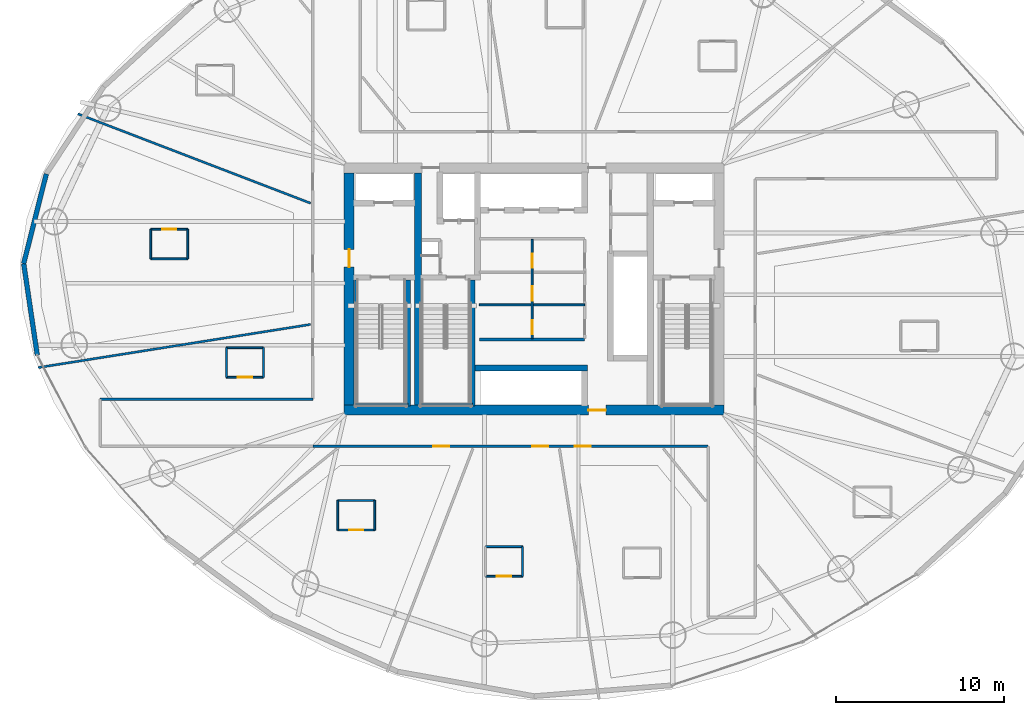
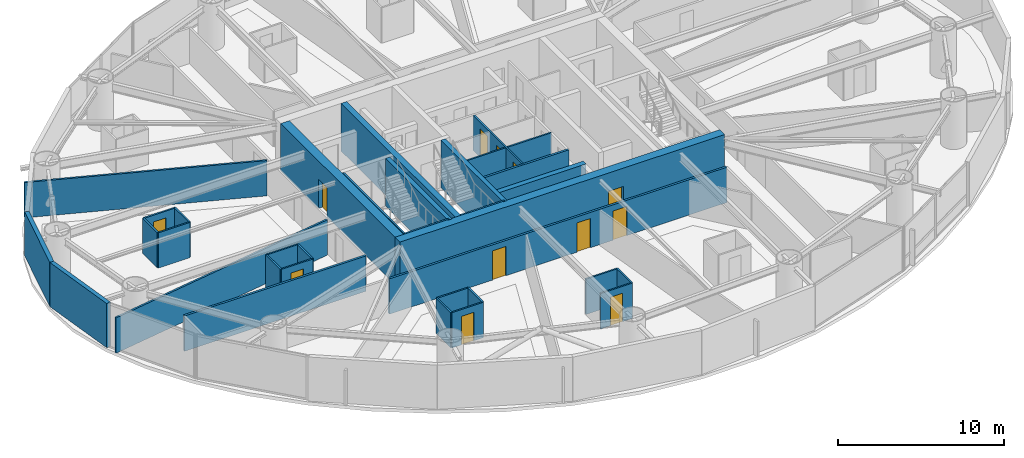
# One storey, part 18 of 25: 33 walls, 12 doors, 12 openings.
"""IFC4 building model written with IfcOpenShell, lengths in metres."""

from ifc_helpers import new_model, si_unit, direction, frame, frame_2d, origin, place, context, subcontext, project, spatial, rectangle, extrude, material, layer, layer_set, type_object, element, fill, save


model = new_model("IFC4")

# Units and contexts
model_context = context("Model", 3, precision=1e-05, world=origin(), true_north=direction((0.0, 1.0)))
body_context = subcontext(model_context, "Body", "Model", "MODEL_VIEW")
ifc_project = project(units=[si_unit("LENGTHUNIT", "METRE"), si_unit("AREAUNIT", "SQUARE_METRE"), si_unit("VOLUMEUNIT", "CUBIC_METRE"), si_unit("PLANEANGLEUNIT", "RADIAN"), si_unit("MASSUNIT", "GRAM", prefix="KILO")], contexts=[model_context])

# Site, building, storey
site_placement = place(None, origin())
site = spatial("IfcSite", under=ifc_project, at=site_placement, CompositionType="ELEMENT")
building_placement = place(site_placement, origin())
building = spatial("IfcBuilding", under=site, at=building_placement, Name="Bramvorn Convention Spire", CompositionType="ELEMENT")
storey_placement = place(building_placement, frame((0.0, 0.0, 48.39990234375)))
storey = spatial("IfcBuildingStorey", under=building, at=storey_placement, Name="L09", CompositionType="ELEMENT", Elevation=48.39990234375)

# Wall, opening, door
ifc_material_1 = material(Name="Concrete C60/70", Category="concrete")
ifc_layer_1 = layer(ifc_material_1, 0.60009765625)
ifc_layer_set_1 = layer_set([ifc_layer_1], Name="Concrete C60/70 - WL-CORE-600")
wall_type_1 = type_object("IfcWallType", Name="WL-CORE-600", PredefinedType="SHEAR", material=ifc_layer_set_1)
wall_1_placement = place(storey_placement, frame((26.699951171875, 18.800048828125, 0.0), z_axis=(0.0, 0.0, 1.0), x_axis=(1.0, 0.0, 0.0)))
wall_1 = element("IfcWall", 1, at=wall_1_placement, inside=storey, type_object=wall_type_1, Name="L09 South RC core shear wall", PredefinedType="SHEAR", context=body_context, shape_type="SweptSolid", body=[
    extrude(rectangle(XDim=22.60009765625, YDim=0.60009765625, at=frame_2d((11.300048828125, 0.0))), origin(), (0.0, 0.0, 1.0), 3.5),
])
opening_1_placement = place(wall_1_placement, frame((14.52001953125, 0.0, 0.0)))
opening_1 = element("IfcOpeningElement", 2, at=opening_1_placement, cuts=wall_1, Name="Opening DL-105", PredefinedType="OPENING", context=body_context, shape_type="SweptSolid", body=[
    extrude(rectangle(XDim=1.050048828125, YDim=2.14990234375, at=frame_2d((0.52490234375, 1.074951171875))), frame((0.0, 0.31005859375, 0.0), z_axis=(0.0, -1.0, 0.0), x_axis=(1.0, 0.0, 0.0)), (0.0, 0.0, 1.0), 0.6201171875),
])
ifc_material_2 = material(Name="Smoke-Sealed Fire Lobby Timber-Core Door", Category="wood")
door_type_1 = type_object("IfcDoorType", Name="DR-LOBBY-1050", OperationType="NOTDEFINED", PredefinedType="DOOR", material=ifc_material_2)
door_1_placement = place(opening_1_placement, origin())
door_1 = element("IfcDoor", 3, at=door_1_placement, inside=storey, type_object=door_type_1, Name="L09 South Lift Lobby fire door", OperationType="SINGLE_SWING_RIGHT", OverallHeight=2.14990234375, OverallWidth=1.050048828125, PredefinedType="DOOR", context=body_context, shape_type="SweptSolid", body=[
    extrude(rectangle(XDim=1.050048828125, YDim=2.14990234375, at=frame_2d((0.52490234375, 1.074951171875))), frame((0.0, 0.02490234375, 0.0), z_axis=(0.0, -1.0, 0.0), x_axis=(1.0, 0.0, 0.0)), (0.0, 0.0, 1.0), 0.050048828125),
])
fill(opening_1, door_1)

wall_2_placement = place(storey_placement, frame((27.0, 19.10009765625, 0.0), z_axis=(0.0, 0.0, 1.0), x_axis=(0.0, 1.0, 0.0)))
wall_2 = element("IfcWall", 4, at=wall_2_placement, inside=storey, type_object=wall_type_1, Name="L09 West RC core shear wall", PredefinedType="SHEAR", context=body_context, shape_type="SweptSolid", body=[
    extrude(rectangle(XDim=13.7998046875, YDim=0.60009765625, at=frame_2d((6.89990234375, 0.0))), origin(), (0.0, 0.0, 1.0), 3.5),
])
opening_2_placement = place(wall_2_placement, frame((8.199951171875, 0.0, 0.0)))
opening_2 = element("IfcOpeningElement", 5, at=opening_2_placement, cuts=wall_2, Name="Opening DL-105", PredefinedType="OPENING", context=body_context, shape_type="SweptSolid", body=[
    extrude(rectangle(XDim=1.050048828125, YDim=2.14990234375, at=frame_2d((0.52490234375, 1.074951171875))), frame((0.0, 0.31005859375, 0.0), z_axis=(0.0, -1.0, 0.0), x_axis=(1.0, 0.0, 0.0)), (0.0, 0.0, 1.0), 0.6201171875),
])
door_2_placement = place(opening_2_placement, origin())
door_2 = element("IfcDoor", 6, at=door_2_placement, inside=storey, type_object=door_type_1, Name="L09 West Firefighting Lobby corridor door", OperationType="SINGLE_SWING_RIGHT", OverallHeight=2.14990234375, OverallWidth=1.050048828125, PredefinedType="DOOR", context=body_context, shape_type="SweptSolid", body=[
    extrude(rectangle(XDim=1.050048828125, YDim=2.14990234375, at=frame_2d((0.52490234375, 1.074951171875))), frame((0.0, 0.02490234375, 0.0), z_axis=(0.0, -1.0, 0.0), x_axis=(1.0, 0.0, 0.0)), (0.0, 0.0, 1.0), 0.050048828125),
])
fill(opening_2, door_2)

# Walls
ifc_material_3 = material(Name="Concrete C50/60", Category="concrete")
ifc_layer_2 = layer(ifc_material_3, 0.35009765625)
ifc_layer_set_2 = layer_set([ifc_layer_2], Name="Concrete C50/60 - WL-CORE-INT-350")
wall_type_2 = type_object("IfcWallType", Name="WL-CORE-INT-350", PredefinedType="SHEAR", material=ifc_layer_set_2)
wall_3_placement = place(storey_placement, frame((34.489990234375, 21.300048828125, 0.0), z_axis=(0.0, 0.0, 1.0), x_axis=(1.0, 0.0, 0.0)))
element("IfcWall", 7, at=wall_3_placement, inside=storey, type_object=wall_type_2, Name="L09 Mid-rise bank north landing wall", PredefinedType="SHEAR", context=body_context, shape_type="SweptSolid", body=[
    extrude(rectangle(XDim=6.679931640625, YDim=0.35009765625, at=frame_2d((3.33984375, 0.0))), origin(), (0.0, 0.0, 1.0), 2.60009765625),
])
ifc_layer_3 = layer(ifc_material_1, 0.39990234375)
ifc_layer_set_3 = layer_set([ifc_layer_3], Name="Concrete C60/70 - WL-CORE-INT-400")
wall_type_3 = type_object("IfcWallType", Name="WL-CORE-INT-400", PredefinedType="SHEAR", material=ifc_layer_set_3)
wall_4_placement = place(storey_placement, frame((31.10009765625, 19.10009765625, 0.0), z_axis=(0.0, 0.0, 1.0), x_axis=(0.0, 1.0, 0.0)))
element("IfcWall", 8, at=wall_4_placement, inside=storey, type_object=wall_type_3, Name="L09 West internal core shear web", PredefinedType="SHEAR", context=body_context, shape_type="SweptSolid", body=[
    extrude(rectangle(XDim=13.7998046875, YDim=0.39990234375, at=frame_2d((6.89990234375, 0.0))), origin(), (0.0, 0.0, 1.0), 3.5),
])
ifc_material_4 = material(Name="Precast Concrete C40/50 with Bronze Terracotta Rainscreen", Category="masonry")
ifc_layer_4 = layer(ifc_material_4, 0.300048828125)
ifc_layer_set_4 = layer_set([ifc_layer_4], Name="Precast Concrete C40/50 with Bronze Terracotta Rainscreen - WL-EXT-BRONZE-300")
wall_type_4 = type_object("IfcWallType", Name="WL-EXT-BRONZE-300", PredefinedType="SOLIDWALL", material=ifc_layer_set_4)
wall_5_placement = place(storey_placement, frame((7.65771484375, 27.510498046875, 0.0), z_axis=(0.0, 0.0, 1.0), x_axis=(0.244259426183, 0.969709921946, 0.0)))
element("IfcWall", 9, at=wall_5_placement, inside=storey, type_object=wall_type_4, Name="L09 expressed bronze Gothic lancet pier wall 12", PredefinedType="SOLIDWALL", context=body_context, shape_type="SweptSolid", body=[
    extrude(rectangle(XDim=5.497314453125, YDim=0.280029296875, at=frame_2d((2.74853515625, 0.0))), origin(), (0.0, 0.0, 1.0), 3.25),
])
wall_6_placement = place(storey_placement, frame((8.46435546875, 22.072509765625, 0.0), z_axis=(0.0, 0.0, 1.0), x_axis=(-0.146728919415, 0.989176740632, 0.0)))
element("IfcWall", 10, at=wall_6_placement, inside=storey, type_object=wall_type_4, Name="L09 expressed bronze Gothic lancet pier wall 13", PredefinedType="SOLIDWALL", context=body_context, shape_type="SweptSolid", body=[
    extrude(rectangle(XDim=5.49755859375, YDim=0.280029296875, at=frame_2d((2.748779296875, 0.0))), origin(), (0.0, 0.0, 1.0), 3.25),
])

# Wall, openings, doors
ifc_material_5 = material(Name="Lightweight En-Suite & Wet-Wall Partition", Category="gypsum")
ifc_layer_5 = layer(ifc_material_5, 0.110107421875)
ifc_layer_set_5 = layer_set([ifc_layer_5], Name="Lightweight En-Suite & Wet-Wall Partition - WL-PART-110")
wall_type_5 = type_object("IfcWallType", Name="WL-PART-110", PredefinedType="PARTITIONING", material=ifc_layer_set_5)
wall_7_placement = place(storey_placement, frame((37.8798828125, 23.050048828125, 0.0), z_axis=(0.0, 0.0, 1.0), x_axis=(0.0, 1.0, 0.0)))
wall_7 = element("IfcWall", 11, at=wall_7_placement, inside=storey, type_object=wall_type_5, Name="L09 KB center wall", PredefinedType="PARTITIONING", context=body_context, shape_type="SweptSolid", body=[
    extrude(rectangle(XDim=5.89990234375, YDim=0.110107421875, at=frame_2d((2.949951171875, 0.0))), origin(), (0.0, 0.0, 1.0), 2.60009765625),
])
opening_3_placement = place(wall_7_placement, frame((0.25, 0.0, 0.0)))
opening_3 = element("IfcOpeningElement", 12, at=opening_3_placement, cuts=wall_7, Name="Opening DC-085", PredefinedType="OPENING", context=body_context, shape_type="SweptSolid", body=[
    extrude(rectangle(XDim=0.85009765625, YDim=2.10009765625, at=frame_2d((0.425048828125, 1.050048828125))), frame((0.0, 0.06494140625, 0.0), z_axis=(0.0, -1.0, 0.0), x_axis=(1.0, 0.0, 0.0)), (0.0, 0.0, 1.0), 0.130126953125),
])
opening_4_placement = place(wall_7_placement, frame((2.256103515625, 0.0, 0.0)))
opening_4 = element("IfcOpeningElement", 13, at=opening_4_placement, cuts=wall_7, Name="Opening DC-085", PredefinedType="OPENING", context=body_context, shape_type="SweptSolid", body=[
    extrude(rectangle(XDim=0.85009765625, YDim=2.10009765625, at=frame_2d((0.425048828125, 1.050048828125))), frame((0.0, 0.06494140625, 0.0), z_axis=(0.0, -1.0, 0.0), x_axis=(1.0, 0.0, 0.0)), (0.0, 0.0, 1.0), 0.130126953125),
])
opening_5_placement = place(wall_7_placement, frame((4.202880859375, 0.0, 0.0)))
opening_5 = element("IfcOpeningElement", 14, at=opening_5_placement, cuts=wall_7, Name="Opening DC-085", PredefinedType="OPENING", context=body_context, shape_type="SweptSolid", body=[
    extrude(rectangle(XDim=0.85009765625, YDim=2.10009765625, at=frame_2d((0.425048828125, 1.050048828125))), frame((0.0, 0.06494140625, 0.0), z_axis=(0.0, -1.0, 0.0), x_axis=(1.0, 0.0, 0.0)), (0.0, 0.0, 1.0), 0.130126953125),
])
ifc_material_6 = material(Name="Fire-Rated Core Washroom & IDF Door", Category="wood")
door_type_2 = type_object("IfcDoorType", Name="DR-CORE-850", OperationType="NOTDEFINED", PredefinedType="DOOR", material=ifc_material_6)
door_3_placement = place(opening_3_placement, origin())
door_3 = element("IfcDoor", 15, at=door_3_placement, inside=storey, type_object=door_type_2, Name="L09 Core Linen Store door", OperationType="SINGLE_SWING_LEFT", OverallHeight=2.10009765625, OverallWidth=0.85009765625, PredefinedType="DOOR", context=body_context, shape_type="SweptSolid", body=[
    extrude(rectangle(XDim=0.85009765625, YDim=2.10009765625, at=frame_2d((0.425048828125, 1.050048828125))), frame((0.0, 0.02490234375, 0.0), z_axis=(0.0, -1.0, 0.0), x_axis=(1.0, 0.0, 0.0)), (0.0, 0.0, 1.0), 0.050048828125),
])
fill(opening_3, door_3)
door_4_placement = place(opening_4_placement, origin())
door_4 = element("IfcDoor", 16, at=door_4_placement, inside=storey, type_object=door_type_2, Name="L09 Core Metering Closet door", OperationType="SINGLE_SWING_LEFT", OverallHeight=2.10009765625, OverallWidth=0.85009765625, PredefinedType="DOOR", context=body_context, shape_type="SweptSolid", body=[
    extrude(rectangle(XDim=0.85009765625, YDim=2.10009765625, at=frame_2d((0.425048828125, 1.050048828125))), frame((0.0, 0.02490234375, 0.0), z_axis=(0.0, -1.0, 0.0), x_axis=(1.0, 0.0, 0.0)), (0.0, 0.0, 1.0), 0.050048828125),
])
fill(opening_4, door_4)
door_5_placement = place(opening_5_placement, origin())
door_5 = element("IfcDoor", 17, at=door_5_placement, inside=storey, type_object=door_type_2, Name="L09 Core Janitor Supply door", OperationType="SINGLE_SWING_LEFT", OverallHeight=2.10009765625, OverallWidth=0.85009765625, PredefinedType="DOOR", context=body_context, shape_type="SweptSolid", body=[
    extrude(rectangle(XDim=0.85009765625, YDim=2.10009765625, at=frame_2d((0.425048828125, 1.050048828125))), frame((0.0, 0.02490234375, 0.0), z_axis=(0.0, -1.0, 0.0), x_axis=(1.0, 0.0, 0.0)), (0.0, 0.0, 1.0), 0.050048828125),
])
fill(opening_5, door_5)

# Walls
wall_8_placement = place(storey_placement, frame((34.75, 25.055908203125, 0.0), z_axis=(0.0, 0.0, 1.0), x_axis=(1.0, 0.0, 0.0)))
element("IfcWall", 18, at=wall_8_placement, inside=storey, type_object=wall_type_5, Name="L09 KB divider 1", PredefinedType="PARTITIONING", context=body_context, shape_type="SweptSolid", body=[
    extrude(rectangle(XDim=6.25, YDim=0.110107421875, at=frame_2d((3.125, 0.0))), origin(), (0.0, 0.0, 1.0), 2.60009765625),
])
wall_9_placement = place(storey_placement, frame((15.2080078125, 27.789306640625, 0.0), z_axis=(0.0, 0.0, 1.0), x_axis=(1.0, 0.0, 0.0)))
element("IfcWall", 19, at=wall_9_placement, inside=storey, type_object=wall_type_5, Name="Hotel Suite 0906 en-suite south wall", PredefinedType="PARTITIONING", context=body_context, shape_type="SweptSolid", body=[
    extrude(rectangle(XDim=2.2001953125, YDim=0.110107421875, at=frame_2d((1.10009765625, 0.0))), origin(), (0.0, 0.0, 1.0), 2.60009765625),
])

# Wall, opening, door
wall_10_placement = place(storey_placement, frame((15.2080078125, 29.54931640625, 0.0), z_axis=(0.0, 0.0, 1.0), x_axis=(1.0, 0.0, 0.0)))
wall_10 = element("IfcWall", 20, at=wall_10_placement, inside=storey, type_object=wall_type_5, Name="Hotel Suite 0906 en-suite north wall", PredefinedType="PARTITIONING", context=body_context, shape_type="SweptSolid", body=[
    extrude(rectangle(XDim=2.2001953125, YDim=0.110107421875, at=frame_2d((1.10009765625, 0.0))), origin(), (0.0, 0.0, 1.0), 2.60009765625),
])
opening_6_placement = place(wall_10_placement, frame((0.679931640625, 0.0, 0.0)))
opening_6 = element("IfcOpeningElement", 21, at=opening_6_placement, cuts=wall_10, Name="Opening DI-085", PredefinedType="OPENING", context=body_context, shape_type="SweptSolid", body=[
    extrude(rectangle(XDim=0.85009765625, YDim=2.10009765625, at=frame_2d((0.425048828125, 1.050048828125))), frame((0.0, 0.06494140625, 0.0), z_axis=(0.0, -1.0, 0.0), x_axis=(1.0, 0.0, 0.0)), (0.0, 0.0, 1.0), 0.130126953125),
])
ifc_material_7 = material(Name="En-Suite & Restroom Privacy Door", Category="wood")
door_type_3 = type_object("IfcDoorType", Name="DR-INT-850", OperationType="NOTDEFINED", PredefinedType="DOOR", material=ifc_material_7)
door_6_placement = place(opening_6_placement, origin())
door_6 = element("IfcDoor", 22, at=door_6_placement, inside=storey, type_object=door_type_3, Name="Hotel Suite 0906 En-Suite Bathroom door", OperationType="SINGLE_SWING_LEFT", OverallHeight=2.10009765625, OverallWidth=0.85009765625, PredefinedType="DOOR", context=body_context, shape_type="SweptSolid", body=[
    extrude(rectangle(XDim=0.85009765625, YDim=2.10009765625, at=frame_2d((0.425048828125, 1.050048828125))), frame((0.0, 0.02490234375, 0.0), z_axis=(0.0, -1.0, 0.0), x_axis=(1.0, 0.0, 0.0)), (0.0, 0.0, 1.0), 0.050048828125),
])
fill(opening_6, door_6)

# Walls
for number, where, z_axis, x_axis, name in (
    (23, (15.2080078125, 27.789306640625, 0.0), (0.0, 0.0, 1.0), (0.0, 1.0, 0.0), "Hotel Suite 0906 en-suite west wall"),
    (24, (17.408203125, 27.789306640625, 0.0), (0.0, 0.0, 1.0), (0.0, 1.0, 0.0), "Hotel Suite 0906 en-suite east wall"),
):
    element("IfcWall", number, at=place(storey_placement, frame(where, z_axis=z_axis, x_axis=x_axis)), inside=storey, type_object=wall_type_5, Name=name, PredefinedType="PARTITIONING", context=body_context, shape_type="SweptSolid", body=[
        extrude(rectangle(XDim=1.760009765625, YDim=0.110107421875, at=frame_2d((0.8798828125, 0.0))), origin(), (0.0, 0.0, 1.0), 2.60009765625),
    ])

# Wall, opening, door
wall_11_placement = place(storey_placement, frame((19.7099609375, 20.751708984375, 0.0), z_axis=(0.0, 0.0, 1.0), x_axis=(1.0, 0.0, 0.0)))
wall_11 = element("IfcWall", 25, at=wall_11_placement, inside=storey, type_object=wall_type_5, Name="Hotel Suite 0907 en-suite south wall", PredefinedType="PARTITIONING", context=body_context, shape_type="SweptSolid", body=[
    extrude(rectangle(XDim=2.199951171875, YDim=0.110107421875, at=frame_2d((1.10009765625, 0.0))), origin(), (0.0, 0.0, 1.0), 2.60009765625),
])
opening_7_placement = place(wall_11_placement, frame((0.679931640625, 0.0, 0.0)))
opening_7 = element("IfcOpeningElement", 26, at=opening_7_placement, cuts=wall_11, Name="Opening DI-085", PredefinedType="OPENING", context=body_context, shape_type="SweptSolid", body=[
    extrude(rectangle(XDim=0.85009765625, YDim=2.10009765625, at=frame_2d((0.425048828125, 1.050048828125))), frame((0.0, 0.06494140625, 0.0), z_axis=(0.0, -1.0, 0.0), x_axis=(1.0, 0.0, 0.0)), (0.0, 0.0, 1.0), 0.130126953125),
])
door_7_placement = place(opening_7_placement, origin())
door_7 = element("IfcDoor", 27, at=door_7_placement, inside=storey, type_object=door_type_3, Name="Hotel Suite 0907 En-Suite Bathroom door", OperationType="SINGLE_SWING_LEFT", OverallHeight=2.10009765625, OverallWidth=0.85009765625, PredefinedType="DOOR", context=body_context, shape_type="SweptSolid", body=[
    extrude(rectangle(XDim=0.85009765625, YDim=2.10009765625, at=frame_2d((0.425048828125, 1.050048828125))), frame((0.0, 0.02490234375, 0.0), z_axis=(0.0, -1.0, 0.0), x_axis=(1.0, 0.0, 0.0)), (0.0, 0.0, 1.0), 0.050048828125),
])
fill(opening_7, door_7)

# Walls
wall_12_placement = place(storey_placement, frame((19.7099609375, 22.51171875, 0.0), z_axis=(0.0, 0.0, 1.0), x_axis=(1.0, 0.0, 0.0)))
element("IfcWall", 28, at=wall_12_placement, inside=storey, type_object=wall_type_5, Name="Hotel Suite 0907 en-suite north wall", PredefinedType="PARTITIONING", context=body_context, shape_type="SweptSolid", body=[
    extrude(rectangle(XDim=2.199951171875, YDim=0.110107421875, at=frame_2d((1.10009765625, 0.0))), origin(), (0.0, 0.0, 1.0), 2.60009765625),
])
for number, where, z_axis, x_axis, name in (
    (29, (19.7099609375, 20.751708984375, 0.0), (0.0, 0.0, 1.0), (0.0, 1.0, 0.0), "Hotel Suite 0907 en-suite west wall"),
    (30, (21.909912109375, 20.751708984375, 0.0), (0.0, 0.0, 1.0), (0.0, 1.0, 0.0), "Hotel Suite 0907 en-suite east wall"),
):
    element("IfcWall", number, at=place(storey_placement, frame(where, z_axis=z_axis, x_axis=x_axis)), inside=storey, type_object=wall_type_5, Name=name, PredefinedType="PARTITIONING", context=body_context, shape_type="SweptSolid", body=[
        extrude(rectangle(XDim=1.760009765625, YDim=0.110107421875, at=frame_2d((0.8798828125, 0.0))), origin(), (0.0, 0.0, 1.0), 2.60009765625),
    ])

# Wall, opening, door
wall_13_placement = place(storey_placement, frame((26.32568359375, 11.67138671875, 0.0), z_axis=(0.0, 0.0, 1.0), x_axis=(1.0, 0.0, 0.0)))
wall_13 = element("IfcWall", 31, at=wall_13_placement, inside=storey, type_object=wall_type_5, Name="Hotel Suite 0908 en-suite south wall", PredefinedType="PARTITIONING", context=body_context, shape_type="SweptSolid", body=[
    extrude(rectangle(XDim=2.199951171875, YDim=0.110107421875, at=frame_2d((1.10009765625, 0.0))), origin(), (0.0, 0.0, 1.0), 2.60009765625),
])
opening_8_placement = place(wall_13_placement, frame((0.679931640625, 0.0, 0.0)))
opening_8 = element("IfcOpeningElement", 32, at=opening_8_placement, cuts=wall_13, Name="Opening DI-085", PredefinedType="OPENING", context=body_context, shape_type="SweptSolid", body=[
    extrude(rectangle(XDim=0.85009765625, YDim=2.10009765625, at=frame_2d((0.425048828125, 1.050048828125))), frame((0.0, 0.06494140625, 0.0), z_axis=(0.0, -1.0, 0.0), x_axis=(1.0, 0.0, 0.0)), (0.0, 0.0, 1.0), 0.130126953125),
])
door_8_placement = place(opening_8_placement, origin())
door_8 = element("IfcDoor", 33, at=door_8_placement, inside=storey, type_object=door_type_3, Name="Hotel Suite 0908 En-Suite Bathroom door", OperationType="SINGLE_SWING_LEFT", OverallHeight=2.10009765625, OverallWidth=0.85009765625, PredefinedType="DOOR", context=body_context, shape_type="SweptSolid", body=[
    extrude(rectangle(XDim=0.85009765625, YDim=2.10009765625, at=frame_2d((0.425048828125, 1.050048828125))), frame((0.0, 0.02490234375, 0.0), z_axis=(0.0, -1.0, 0.0), x_axis=(1.0, 0.0, 0.0)), (0.0, 0.0, 1.0), 0.050048828125),
])
fill(opening_8, door_8)

# Walls
wall_14_placement = place(storey_placement, frame((26.32568359375, 13.431396484375, 0.0), z_axis=(0.0, 0.0, 1.0), x_axis=(1.0, 0.0, 0.0)))
element("IfcWall", 34, at=wall_14_placement, inside=storey, type_object=wall_type_5, Name="Hotel Suite 0908 en-suite north wall", PredefinedType="PARTITIONING", context=body_context, shape_type="SweptSolid", body=[
    extrude(rectangle(XDim=2.199951171875, YDim=0.110107421875, at=frame_2d((1.10009765625, 0.0))), origin(), (0.0, 0.0, 1.0), 2.60009765625),
])
for number, where, z_axis, x_axis, name in (
    (35, (26.32568359375, 11.67138671875, 0.0), (0.0, 0.0, 1.0), (0.0, 1.0, 0.0), "Hotel Suite 0908 en-suite west wall"),
    (36, (28.525634765625, 11.67138671875, 0.0), (0.0, 0.0, 1.0), (0.0, 1.0, 0.0), "Hotel Suite 0908 en-suite east wall"),
):
    element("IfcWall", number, at=place(storey_placement, frame(where, z_axis=z_axis, x_axis=x_axis)), inside=storey, type_object=wall_type_5, Name=name, PredefinedType="PARTITIONING", context=body_context, shape_type="SweptSolid", body=[
        extrude(rectangle(XDim=1.760009765625, YDim=0.110107421875, at=frame_2d((0.8798828125, 0.0))), origin(), (0.0, 0.0, 1.0), 2.60009765625),
    ])

# Wall, opening, door
wall_15_placement = place(storey_placement, frame((35.109375, 8.924072265625, 0.0), z_axis=(0.0, 0.0, 1.0), x_axis=(1.0, 0.0, 0.0)))
wall_15 = element("IfcWall", 37, at=wall_15_placement, inside=storey, type_object=wall_type_5, Name="Hotel Suite 0909 en-suite south wall", PredefinedType="PARTITIONING", context=body_context, shape_type="SweptSolid", body=[
    extrude(rectangle(XDim=2.199951171875, YDim=0.110107421875, at=frame_2d((1.10009765625, 0.0))), origin(), (0.0, 0.0, 1.0), 2.60009765625),
])
opening_9_placement = place(wall_15_placement, frame((0.679931640625, 0.0, 0.0)))
opening_9 = element("IfcOpeningElement", 38, at=opening_9_placement, cuts=wall_15, Name="Opening DI-085", PredefinedType="OPENING", context=body_context, shape_type="SweptSolid", body=[
    extrude(rectangle(XDim=0.85009765625, YDim=2.10009765625, at=frame_2d((0.425048828125, 1.050048828125))), frame((0.0, 0.06494140625, 0.0), z_axis=(0.0, -1.0, 0.0), x_axis=(1.0, 0.0, 0.0)), (0.0, 0.0, 1.0), 0.130126953125),
])
door_9_placement = place(opening_9_placement, origin())
door_9 = element("IfcDoor", 39, at=door_9_placement, inside=storey, type_object=door_type_3, Name="Hotel Suite 0909 En-Suite Bathroom door", OperationType="SINGLE_SWING_LEFT", OverallHeight=2.10009765625, OverallWidth=0.85009765625, PredefinedType="DOOR", context=body_context, shape_type="SweptSolid", body=[
    extrude(rectangle(XDim=0.85009765625, YDim=2.10009765625, at=frame_2d((0.425048828125, 1.050048828125))), frame((0.0, 0.02490234375, 0.0), z_axis=(0.0, -1.0, 0.0), x_axis=(1.0, 0.0, 0.0)), (0.0, 0.0, 1.0), 0.050048828125),
])
fill(opening_9, door_9)

# Walls
wall_16_placement = place(storey_placement, frame((35.109375, 10.68408203125, 0.0), z_axis=(0.0, 0.0, 1.0), x_axis=(1.0, 0.0, 0.0)))
element("IfcWall", 40, at=wall_16_placement, inside=storey, type_object=wall_type_5, Name="Hotel Suite 0909 en-suite north wall", PredefinedType="PARTITIONING", context=body_context, shape_type="SweptSolid", body=[
    extrude(rectangle(XDim=2.199951171875, YDim=0.110107421875, at=frame_2d((1.10009765625, 0.0))), origin(), (0.0, 0.0, 1.0), 2.60009765625),
])
wall_17_placement = place(storey_placement, frame((37.309326171875, 8.924072265625, 0.0), z_axis=(0.0, 0.0, 1.0), x_axis=(0.0, 1.0, 0.0)))
element("IfcWall", 41, at=wall_17_placement, inside=storey, type_object=wall_type_5, Name="Hotel Suite 0909 en-suite east wall", PredefinedType="PARTITIONING", context=body_context, shape_type="SweptSolid", body=[
    extrude(rectangle(XDim=1.760009765625, YDim=0.110107421875, at=frame_2d((0.8798828125, 0.0))), origin(), (0.0, 0.0, 1.0), 2.60009765625),
])
ifc_material_8 = material(Name="Metal-Stud Demountable Office Partition", Category="gypsum")
ifc_layer_6 = layer(ifc_material_8, 0.1298828125)
ifc_layer_set_6 = layer_set([ifc_layer_6], Name="Metal-Stud Demountable Office Partition - WL-PART-130")
wall_type_6 = type_object("IfcWallType", Name="WL-PART-130", PredefinedType="PARTITIONING", material=ifc_layer_set_6)
wall_18_placement = place(storey_placement, frame((24.7099609375, 31.1015625, 0.0), z_axis=(0.0, 0.0, 1.0), x_axis=(-0.933582813914, 0.358361730049, 0.0)))
element("IfcWall", 42, at=wall_18_placement, inside=storey, type_object=wall_type_6, Name="L09 Guestroom demising wall 6", PredefinedType="PARTITIONING", context=body_context, shape_type="SweptSolid", body=[
    extrude(rectangle(XDim=14.8154296875, YDim=0.1298828125, at=frame_2d((7.40771484375, 0.0))), origin(), (0.0, 0.0, 1.0), 2.60009765625),
])
wall_19_placement = place(storey_placement, frame((24.7099609375, 23.89501953125, 0.0), z_axis=(0.0, 0.0, 1.0), x_axis=(-0.987688948482, -0.156430626946, 0.0)))
element("IfcWall", 43, at=wall_19_placement, inside=storey, type_object=wall_type_6, Name="L09 Guestroom demising wall 7", PredefinedType="PARTITIONING", context=body_context, shape_type="SweptSolid", body=[
    extrude(rectangle(XDim=16.39208984375, YDim=0.1298828125, at=frame_2d((8.196044921875, 0.0))), origin(), (0.0, 0.0, 1.0), 2.60009765625),
])
ifc_material_9 = material(Name="Acoustic Metal-Stud Tenant/Corridor Partition", Category="gypsum")
ifc_layer_7 = layer(ifc_material_9, 0.14990234375)
ifc_layer_set_7 = layer_set([ifc_layer_7], Name="Acoustic Metal-Stud Tenant/Corridor Partition - WL-PART-150")
wall_type_7 = type_object("IfcWallType", Name="WL-PART-150", PredefinedType="PARTITIONING", material=ifc_layer_set_7)
wall_20_placement = place(storey_placement, frame((34.75, 23.0, 0.0), z_axis=(0.0, 0.0, 1.0), x_axis=(1.0, 0.0, 0.0)))
element("IfcWall", 44, at=wall_20_placement, inside=storey, type_object=wall_type_7, Name="L09 Mid-rise lift vestibule north wall", PredefinedType="PARTITIONING", context=body_context, shape_type="SweptSolid", body=[
    extrude(rectangle(XDim=6.25, YDim=0.14990234375, at=frame_2d((3.125, 0.0))), origin(), (0.0, 0.0, 1.0), 2.60009765625),
])

# Wall, openings, doors
wall_21_placement = place(storey_placement, frame((24.85009765625, 16.64990234375, 0.0), z_axis=(0.0, 0.0, 1.0), x_axis=(1.0, 0.0, 0.0)))
wall_21 = element("IfcWall", 45, at=wall_21_placement, inside=storey, type_object=wall_type_7, Name="L09 South ring corridor wall", PredefinedType="PARTITIONING", context=body_context, shape_type="SweptSolid", body=[
    extrude(rectangle(XDim=23.5, YDim=0.14990234375, at=frame_2d((11.75, 0.0))), origin(), (0.0, 0.0, 1.0), 2.60009765625),
])
opening_10_placement = place(wall_21_placement, frame((7.1572265625, 0.0, 0.0)))
opening_10 = element("IfcOpeningElement", 46, at=opening_10_placement, cuts=wall_21, Name="Opening DH-095", PredefinedType="OPENING", context=body_context, shape_type="SweptSolid", body=[
    extrude(rectangle(XDim=0.949951171875, YDim=2.14990234375, at=frame_2d((0.47509765625, 1.074951171875))), frame((0.0, 0.0849609375, 0.0), z_axis=(0.0, -1.0, 0.0), x_axis=(1.0, 0.0, 0.0)), (0.0, 0.0, 1.0), 0.169921875),
])
opening_11_placement = place(wall_21_placement, frame((13.039306640625, 0.0, 0.0)))
opening_11 = element("IfcOpeningElement", 47, at=opening_11_placement, cuts=wall_21, Name="Opening DH-095", PredefinedType="OPENING", context=body_context, shape_type="SweptSolid", body=[
    extrude(rectangle(XDim=0.949951171875, YDim=2.14990234375, at=frame_2d((0.47509765625, 1.074951171875))), frame((0.0, 0.0849609375, 0.0), z_axis=(0.0, -1.0, 0.0), x_axis=(1.0, 0.0, 0.0)), (0.0, 0.0, 1.0), 0.169921875),
])
opening_12_placement = place(wall_21_placement, frame((15.573486328125, 0.0, 0.0)))
opening_12 = element("IfcOpeningElement", 48, at=opening_12_placement, cuts=wall_21, Name="Opening DH-095", PredefinedType="OPENING", context=body_context, shape_type="SweptSolid", body=[
    extrude(rectangle(XDim=0.949951171875, YDim=2.14990234375, at=frame_2d((0.47509765625, 1.074951171875))), frame((0.0, 0.0849609375, 0.0), z_axis=(0.0, -1.0, 0.0), x_axis=(1.0, 0.0, 0.0)), (0.0, 0.0, 1.0), 0.169921875),
])
ifc_material_10 = material(Name="Solid-Core Acoustic Guestroom Entry Door", Category="wood")
door_type_4 = type_object("IfcDoorType", Name="DR-HOTEL-950", OperationType="NOTDEFINED", PredefinedType="DOOR", material=ifc_material_10)
door_10_placement = place(opening_10_placement, origin())
door_10 = element("IfcDoor", 49, at=door_10_placement, inside=storey, type_object=door_type_4, Name="Hotel Suite 0908 entry door", OperationType="SINGLE_SWING_LEFT", OverallHeight=2.14990234375, OverallWidth=0.949951171875, PredefinedType="DOOR", context=body_context, shape_type="SweptSolid", body=[
    extrude(rectangle(XDim=0.949951171875, YDim=2.14990234375, at=frame_2d((0.47509765625, 1.074951171875))), frame((0.0, 0.02490234375, 0.0), z_axis=(0.0, -1.0, 0.0), x_axis=(1.0, 0.0, 0.0)), (0.0, 0.0, 1.0), 0.050048828125),
])
fill(opening_10, door_10)
door_11_placement = place(opening_11_placement, origin())
door_11 = element("IfcDoor", 50, at=door_11_placement, inside=storey, type_object=door_type_4, Name="Hotel Suite 0909 entry door", OperationType="SINGLE_SWING_LEFT", OverallHeight=2.14990234375, OverallWidth=0.949951171875, PredefinedType="DOOR", context=body_context, shape_type="SweptSolid", body=[
    extrude(rectangle(XDim=0.949951171875, YDim=2.14990234375, at=frame_2d((0.47509765625, 1.074951171875))), frame((0.0, 0.02490234375, 0.0), z_axis=(0.0, -1.0, 0.0), x_axis=(1.0, 0.0, 0.0)), (0.0, 0.0, 1.0), 0.050048828125),
])
fill(opening_11, door_11)
door_12_placement = place(opening_12_placement, origin())
door_12 = element("IfcDoor", 51, at=door_12_placement, inside=storey, type_object=door_type_4, Name="Hotel Suite 0910 entry door", OperationType="SINGLE_SWING_RIGHT", OverallHeight=2.14990234375, OverallWidth=0.949951171875, PredefinedType="DOOR", context=body_context, shape_type="SweptSolid", body=[
    extrude(rectangle(XDim=0.949951171875, YDim=2.14990234375, at=frame_2d((0.47509765625, 1.074951171875))), frame((0.0, 0.02490234375, 0.0), z_axis=(0.0, -1.0, 0.0), x_axis=(1.0, 0.0, 0.0)), (0.0, 0.0, 1.0), 0.050048828125),
])
fill(opening_12, door_12)

# Walls
wall_22_placement = place(storey_placement, frame((12.206298828125, 19.449951171875, 0.0), z_axis=(0.0, 0.0, 1.0), x_axis=(1.0, 0.0, 0.0)))
element("IfcWall", 52, at=wall_22_placement, inside=storey, type_object=wall_type_7, Name="L09 SW pinwheel wing north wall", PredefinedType="PARTITIONING", context=body_context, shape_type="SweptSolid", body=[
    extrude(rectangle(XDim=12.643798828125, YDim=0.14990234375, at=frame_2d((6.32177734375, 0.0))), origin(), (0.0, 0.0, 1.0), 2.60009765625),
])
ifc_layer_8 = layer(ifc_material_3, 0.300048828125)
ifc_layer_set_8 = layer_set([ifc_layer_8], Name="Concrete C50/60 - WL-POD-STAIR-300")
wall_type_8 = type_object("IfcWallType", Name="WL-POD-STAIR-300", PredefinedType="SHEAR", material=ifc_layer_set_8)
for number, where, z_axis, x_axis, name in (
    (53, (30.489990234375, 19.050048828125, 0.0), (0.0, 0.0, 1.0), (0.0, 1.0, 0.0), "L09 ST1 east bearing wall"),
    (54, (34.340087890625, 19.050048828125, 0.0), (0.0, 0.0, 1.0), (0.0, 1.0, 0.0), "L09 ST3 east bearing wall"),
):
    element("IfcWall", number, at=place(storey_placement, frame(where, z_axis=z_axis, x_axis=x_axis)), inside=storey, type_object=wall_type_8, Name=name, PredefinedType="SHEAR", context=body_context, shape_type="SweptSolid", body=[
        extrude(rectangle(XDim=7.5, YDim=0.300048828125, at=frame_2d((3.75, 0.0))), origin(), (0.0, 0.0, 1.0), 3.5),
    ])
ifc_layer_9 = layer(ifc_material_3, 0.1201171875)
ifc_layer_set_9 = layer_set([ifc_layer_9], Name="Concrete C50/60 - WL-STAIR-RC-120")
wall_type_9 = type_object("IfcWallType", Name="WL-STAIR-RC-120", PredefinedType="SHEAR", material=ifc_layer_set_9)
wall_23_placement = place(storey_placement, frame((27.39501953125, 19.10009765625, 0.0), z_axis=(0.0, 0.0, 1.0), x_axis=(0.0, 1.0, 0.0)))
element("IfcWall", 55, at=wall_23_placement, inside=storey, type_object=wall_type_9, Name="L09 ST1 west bearing shear wall", PredefinedType="SHEAR", context=body_context, shape_type="SweptSolid", body=[
    extrude(rectangle(XDim=7.449951171875, YDim=0.1201171875, at=frame_2d((3.72509765625, 0.0))), origin(), (0.0, 0.0, 1.0), 3.5),
])
wall_24_placement = place(storey_placement, frame((27.39501953125, 19.159912109375, 0.0), z_axis=(0.0, 0.0, 1.0), x_axis=(1.0, 0.0, 0.0)))
element("IfcWall", 56, at=wall_24_placement, inside=storey, type_object=wall_type_9, Name="L09 ST1 south bearing shear wall", PredefinedType="SHEAR", context=body_context, shape_type="SweptSolid", body=[
    extrude(rectangle(XDim=3.094970703125, YDim=0.1201171875, at=frame_2d((1.54736328125, 0.0))), origin(), (0.0, 0.0, 1.0), 3.5),
])
wall_25_placement = place(storey_placement, frame((31.300048828125, 19.159912109375, 0.0), z_axis=(0.0, 0.0, 1.0), x_axis=(1.0, 0.0, 0.0)))
element("IfcWall", 57, at=wall_25_placement, inside=storey, type_object=wall_type_9, Name="L09 ST3 south bearing shear wall", PredefinedType="SHEAR", context=body_context, shape_type="SweptSolid", body=[
    extrude(rectangle(XDim=3.0400390625, YDim=0.1201171875, at=frame_2d((1.52001953125, 0.0))), origin(), (0.0, 0.0, 1.0), 3.5),
])

save(model, "model.ifc")
